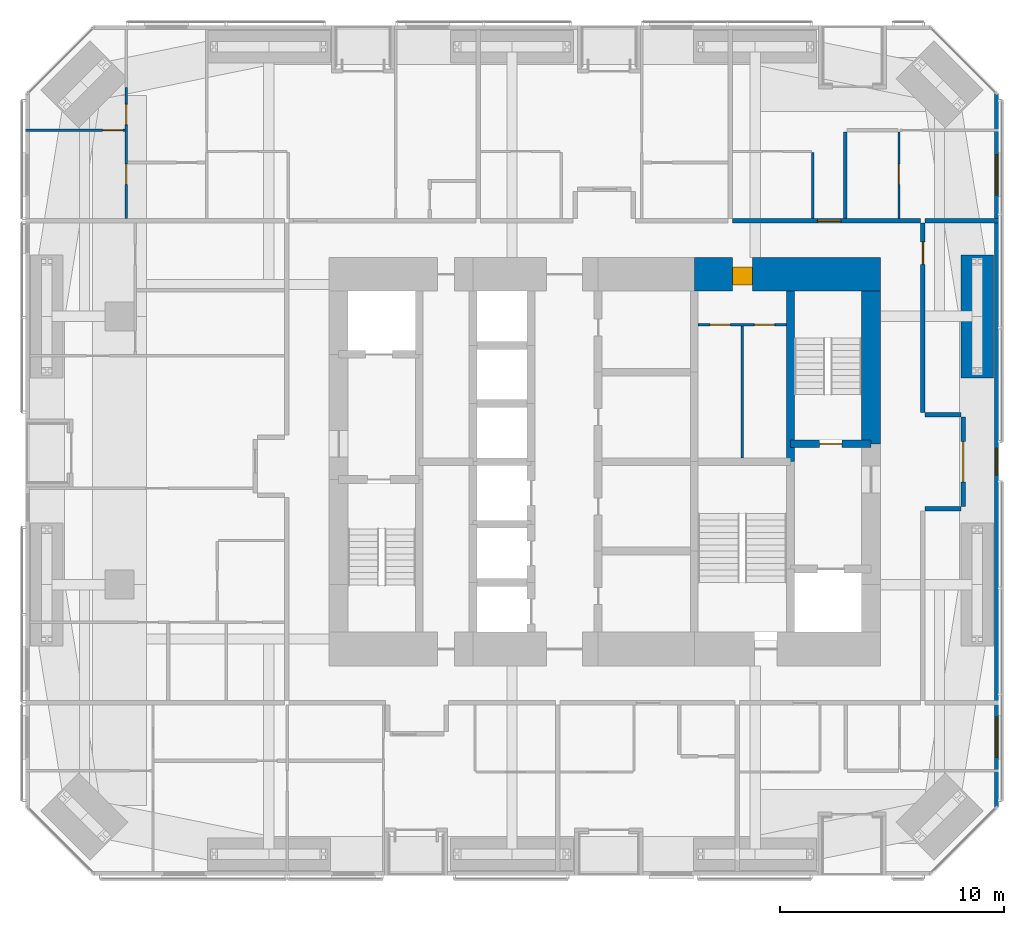
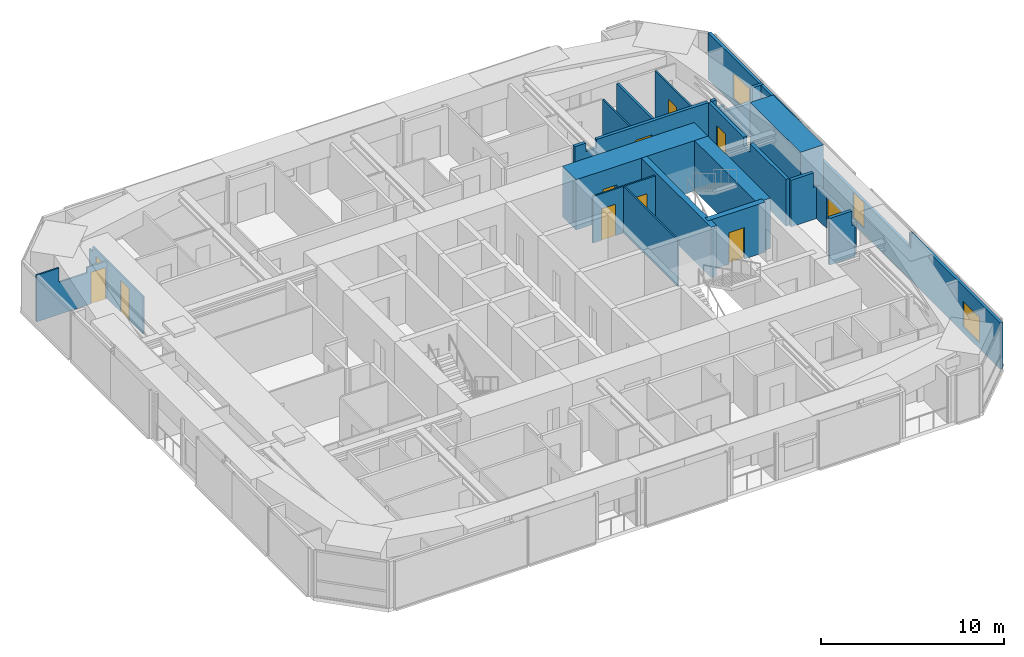
# One storey, part 21 of 24: 19 walls, 11 doors, 3 windows, 14 openings.
"""IFC4 building model written with IfcOpenShell, lengths in metres."""

from ifc_helpers import new_model, si_unit, direction, frame, frame_2d, origin, place, context, subcontext, project, spatial, polyline, rectangle, outline, extrude, material, layer, layer_set, constituent, constituent_set, type_object, element, fill, save


model = new_model("IFC4")

# Units and contexts
model_context = context("Model", 3, precision=1e-05, world=origin(), true_north=direction((0.0, 1.0)))
body_context = subcontext(model_context, "Body", "Model", "MODEL_VIEW")
ifc_project = project(units=[si_unit("LENGTHUNIT", "METRE"), si_unit("AREAUNIT", "SQUARE_METRE"), si_unit("VOLUMEUNIT", "CUBIC_METRE"), si_unit("PLANEANGLEUNIT", "RADIAN"), si_unit("MASSUNIT", "GRAM", prefix="KILO")], contexts=[model_context])

# Site, building, storey
site_placement = place(None, origin())
site = spatial("IfcSite", under=ifc_project, at=site_placement, CompositionType="ELEMENT")
building_placement = place(site_placement, origin())
building = spatial("IfcBuilding", under=site, at=building_placement, Name="Jalousie Tower", CompositionType="ELEMENT")
storey_placement = place(building_placement, frame((0.0, 0.0, 91.449951171875)))
storey = spatial("IfcBuildingStorey", under=building, at=storey_placement, Name="L24", CompositionType="ELEMENT", Elevation=91.449951171875)

# Wall
ifc_material_1 = material(Name="Concrete block ASTM C90", Category="concrete")
ifc_constituent_1 = constituent(ifc_material_1, Name="Body")
ifc_material_2 = material(Name="Render")
ifc_constituent_2 = constituent(ifc_material_2, Name="Finish")
ifc_constituent_set_1 = constituent_set(constituents=[ifc_constituent_1, ifc_constituent_2])
wall_type_1 = type_object("IfcWallType", Name="BATHROOM WALL 150", PredefinedType="PLUMBINGWALL", material=ifc_constituent_set_1)
wall_1_placement = place(storey_placement, frame((42.64990234375, 33.2490234375, 0.0), z_axis=(0.0, 0.0, 1.0), x_axis=(0.0, -1.0, 0.0)))
element("IfcWall", 1, at=wall_1_placement, inside=storey, type_object=wall_type_1, Name="Bathroom Wall 150 L24", PredefinedType="PLUMBINGWALL", context=body_context, shape_type="SweptSolid", body=[
    extrude(rectangle(XDim=3.8740234375, YDim=0.14990234375, at=frame_2d((1.93701171875, 0.0))), origin(), (0.0, 0.0, 1.0), 3.110107421875),
])

# Wall, opening, door
ifc_material_3 = material(Name="Concrete f'c 120 MPa", Category="concrete")
ifc_layer_1 = layer(ifc_material_3, 1.5)
ifc_layer_set_1 = layer_set([ifc_layer_1], Name="Concrete f'c 120 MPa")
wall_type_2 = type_object("IfcWallType", Name="CORE WALL 1500", PredefinedType="SHEAR", material=ifc_layer_set_1)
wall_2_placement = place(storey_placement, frame((44.22509765625, 26.875, 0.0), z_axis=(0.0, 0.0, 1.0), x_axis=(-1.0, 0.0, 0.0)))
wall_2 = element("IfcWall", 2, at=wall_2_placement, inside=storey, type_object=wall_type_2, Name="Core wall NA L24", PredefinedType="SHEAR", context=body_context, shape_type="SweptSolid", body=[
    extrude(rectangle(XDim=8.3251953125, YDim=1.5, at=frame_2d((4.16259765625, 0.0))), origin(), (0.0, 0.0, 1.0), 3.35009765625),
])
opening_1_placement = place(wall_2_placement, frame((5.72509765625, 0.0, 0.0)))
opening_1 = element("IfcOpeningElement", 3, at=opening_1_placement, cuts=wall_2, Name="Opening D25", PredefinedType="OPENING", context=body_context, shape_type="SweptSolid", body=[
    extrude(rectangle(XDim=0.89990234375, YDim=2.10009765625, at=frame_2d((0.449951171875, 1.050048828125))), frame((0.0, 0.760009765625, 0.0), z_axis=(0.0, -1.0, 0.0), x_axis=(1.0, 0.0, 0.0)), (0.0, 0.0, 1.0), 1.52001953125),
])
ifc_material_4 = material(Name="Steel fire door", Category="steel")
door_type_1 = type_object("IfcDoorType", Name="SERVICE LOBBY DOOR 900", OperationType="SINGLE_SWING_LEFT", PredefinedType="DOOR", material=ifc_material_4)
door_1_placement = place(opening_1_placement, origin())
door_1 = element("IfcDoor", 4, at=door_1_placement, inside=storey, type_object=door_type_1, Name="Service lobby door", OperationType="SINGLE_SWING_LEFT", OverallHeight=2.10009765625, OverallWidth=0.89990234375, PredefinedType="DOOR", context=body_context, shape_type="SweptSolid", body=[
    extrude(rectangle(XDim=0.89990234375, YDim=2.10009765625, at=frame_2d((0.449951171875, 1.050048828125))), frame((0.0, 0.47021484375, 0.0), z_axis=(0.0, -1.0, 0.0), x_axis=(1.0, 0.0, 0.0)), (0.0, 0.0, 1.0), 0.800048828125),
])
fill(opening_1, door_1)

# Wall
ifc_material_5 = material(Name="Concrete f'c 120 MPa", Category="concrete")
ifc_layer_2 = layer(ifc_material_5, 0.35009765625)
ifc_layer_set_2 = layer_set([ifc_layer_2], Name="Concrete f'c 120 MPa")
wall_type_3 = type_object("IfcWallType", Name="CORE WALL 350", PredefinedType="SHEAR", material=ifc_layer_set_2)
wall_3_placement = place(storey_placement, frame((40.199951171875, 18.5, 0.0), z_axis=(0.0, 0.0, 1.0), x_axis=(0.0, 1.0, 0.0)))
element("IfcWall", 5, at=wall_3_placement, inside=storey, type_object=wall_type_3, Name="Core wall X40.2C L24", PredefinedType="SHEAR", context=body_context, shape_type="SweptSolid", body=[
    extrude(rectangle(XDim=7.625, YDim=0.35009765625, at=frame_2d((3.8125, 0.0))), origin(), (0.0, 0.0, 1.0), 3.35009765625),
])

# Wall, opening, door
wall_4_placement = place(storey_placement, frame((40.199951171875, 19.300048828125, 0.0), z_axis=(0.0, 0.0, 1.0), x_axis=(1.0, 0.0, 0.0)))
wall_4 = element("IfcWall", 6, at=wall_4_placement, inside=storey, type_object=wall_type_3, Name="Core wall Y40.2-19.3 L24", PredefinedType="SHEAR", context=body_context, shape_type="SweptSolid", body=[
    extrude(rectangle(XDim=3.60009765625, YDim=0.35009765625, at=frame_2d((1.800048828125, 0.0))), origin(), (0.0, 0.0, 1.0), 3.35009765625),
])
opening_2_placement = place(wall_4_placement, frame((1.300048828125, 0.0, 0.0)))
opening_2 = element("IfcOpeningElement", 7, at=opening_2_placement, cuts=wall_4, Name="Opening D10", PredefinedType="OPENING", context=body_context, shape_type="SweptSolid", body=[
    extrude(rectangle(XDim=1.0, YDim=2.10009765625, at=frame_2d((0.5, 1.050048828125))), frame((0.0, 0.18505859375, 0.0), z_axis=(0.0, -1.0, 0.0), x_axis=(1.0, 0.0, 0.0)), (0.0, 0.0, 1.0), 0.3701171875),
])
ifc_material_6 = material(Name="Steel fire door", Category="steel")
door_type_2 = type_object("IfcDoorType", Name="STAIR DOOR 1000", OperationType="SINGLE_SWING_LEFT", PredefinedType="DOOR", material=ifc_material_6)
door_2_placement = place(opening_2_placement, origin())
door_2 = element("IfcDoor", 8, at=door_2_placement, inside=storey, type_object=door_type_2, Name="Exit stair B door", OperationType="SINGLE_SWING_RIGHT", OverallHeight=2.10009765625, OverallWidth=1.0, PredefinedType="DOOR", context=body_context, shape_type="SweptSolid", body=[
    extrude(rectangle(XDim=1.0, YDim=2.10009765625, at=frame_2d((0.5, 1.050048828125))), frame((0.0, 0.02490234375, 0.0), z_axis=(0.0, -1.0, 0.0), x_axis=(1.0, 0.0, 0.0)), (0.0, 0.0, 1.0), 0.050048828125),
])
fill(opening_2, door_2)

# Wall
ifc_material_7 = material(Name="Concrete f'c 120 MPa", Category="concrete")
ifc_layer_3 = layer(ifc_material_7, 0.85009765625)
ifc_layer_set_3 = layer_set([ifc_layer_3], Name="Concrete f'c 120 MPa")
wall_type_4 = type_object("IfcWallType", Name="CORE WALL 850", PredefinedType="SHEAR", material=ifc_layer_set_3)
wall_5_placement = place(storey_placement, frame((43.800048828125, 19.300048828125, 0.0), z_axis=(0.0, 0.0, 1.0), x_axis=(0.0, 1.0, 0.0)))
element("IfcWall", 9, at=wall_5_placement, inside=storey, type_object=wall_type_4, Name="Core wall EC L24", PredefinedType="SHEAR", context=body_context, shape_type="SweptSolid", body=[
    extrude(rectangle(XDim=6.824951171875, YDim=0.85009765625, at=frame_2d((3.41259765625, 0.0))), origin(), (0.0, 0.0, 1.0), 3.35009765625),
])

# Wall, opening, door
ifc_material_8 = material(Name="Concrete block ASTM C90", Category="concrete")
ifc_constituent_3 = constituent(ifc_material_8, Name="Body")
ifc_material_9 = material(Name="Render")
ifc_constituent_4 = constituent(ifc_material_9, Name="Finish")
ifc_constituent_set_2 = constituent_set(constituents=[ifc_constituent_3, ifc_constituent_4])
wall_type_5 = type_object("IfcWallType", Name="CORRIDOR WALL 200", PredefinedType="PARTITIONING", material=ifc_constituent_set_2)
wall_6_placement = place(storey_placement, frame((37.60009765625, 29.27490234375, 0.0), z_axis=(0.0, 0.0, 1.0), x_axis=(1.0, 0.0, 0.0)))
wall_6 = element("IfcWall", 10, at=wall_6_placement, inside=storey, type_object=wall_type_5, Name="Corridor Wall 200 L24", PredefinedType="PARTITIONING", context=body_context, shape_type="SweptSolid", body=[
    extrude(outline(polyline([(0.0, 0.0), (8.4248046875, 0.0), (8.425048828125, 3.110107421875), (1.3623046875, 3.110107421875), (1.3623046875, 2.541015625), (0.6875, 2.541015625), (0.6875, 3.110107421875), (0.0, 3.110107421875), (0.0, 0.0)])), frame((0.0, 0.10009765625, 0.0), z_axis=(0.0, -1.0, 0.0), x_axis=(1.0, 0.0, 0.0)), (0.0, 0.0, 1.0), 0.199951171875),
])
opening_3_placement = place(wall_6_placement, frame((3.800048828125, 0.0, 0.0)))
opening_3 = element("IfcOpeningElement", 11, at=opening_3_placement, cuts=wall_6, Name="Opening D1", PredefinedType="OPENING", context=body_context, shape_type="SweptSolid", body=[
    extrude(rectangle(XDim=1.050048828125, YDim=2.199951171875, at=frame_2d((0.52490234375, 1.10009765625))), frame((0.0, 0.10986328125, 0.0), z_axis=(0.0, -1.0, 0.0), x_axis=(1.0, 0.0, 0.0)), (0.0, 0.0, 1.0), 0.219970703125),
])
ifc_material_10 = material(Name="Timber fire door", Category="wood")
door_type_3 = type_object("IfcDoorType", Name="APARTMENT ENTRANCE DOOR 1050", OperationType="SINGLE_SWING_LEFT", PredefinedType="DOOR", material=ifc_material_10)
door_3_placement = place(opening_3_placement, origin())
door_3 = element("IfcDoor", 12, at=door_3_placement, inside=storey, type_object=door_type_3, Name="Apartment 2406 entrance", OperationType="SINGLE_SWING_RIGHT", OverallHeight=2.199951171875, OverallWidth=1.050048828125, PredefinedType="DOOR", context=body_context, shape_type="SweptSolid", body=[
    extrude(rectangle(XDim=1.050048828125, YDim=2.199951171875, at=frame_2d((0.52490234375, 1.10009765625))), frame((0.0, 0.02490234375, 0.0), z_axis=(0.0, -1.0, 0.0), x_axis=(1.0, 0.0, 0.0)), (0.0, 0.0, 1.0), 0.050048828125),
])
fill(opening_3, door_3)

wall_7_placement = place(storey_placement, frame((46.125, 20.699951171875, 0.0), z_axis=(0.0, 0.0, 1.0), x_axis=(0.0, 1.0, 0.0)))
wall_7 = element("IfcWall", 13, at=wall_7_placement, inside=storey, type_object=wall_type_5, Name="Corridor Wall 200 L24", PredefinedType="PARTITIONING", context=body_context, shape_type="SweptSolid", body=[
    extrude(outline(polyline([(0.0, 0.0), (8.47509765625, 0.0), (8.47509765625, 3.110107421875), (4.63720703125, 3.110107421875), (4.63720703125, 2.541015625), (3.962646484375, 2.541015625), (3.962646484375, 3.110107421875), (0.0, 3.110107421875), (0.0, 0.0)])), frame((0.0, 0.10009765625, 0.0), z_axis=(0.0, -1.0, 0.0), x_axis=(1.0, 0.0, 0.0)), (0.0, 0.0, 1.0), 0.199951171875),
])
opening_4_placement = place(wall_7_placement, frame((6.625, 0.0, 0.0)))
opening_4 = element("IfcOpeningElement", 14, at=opening_4_placement, cuts=wall_7, Name="Opening D21", PredefinedType="OPENING", context=body_context, shape_type="SweptSolid", body=[
    extrude(rectangle(XDim=1.0, YDim=2.10009765625, at=frame_2d((0.5, 1.050048828125))), frame((0.0, 0.10986328125, 0.0), z_axis=(0.0, -1.0, 0.0), x_axis=(1.0, 0.0, 0.0)), (0.0, 0.0, 1.0), 0.219970703125),
])
ifc_material_11 = material(Name="Timber fire door", Category="wood")
door_type_4 = type_object("IfcDoorType", Name="CORRIDOR DOOR 1000", OperationType="SINGLE_SWING_LEFT", PredefinedType="DOOR", material=ifc_material_11)
door_4_placement = place(opening_4_placement, frame((1.0, 0.0, 0.0), z_axis=(0.0, 0.0, 1.0), x_axis=(-1.0, 0.0, 0.0)))
door_4 = element("IfcDoor", 15, at=door_4_placement, inside=storey, type_object=door_type_4, Name="Lounge second door", OperationType="SINGLE_SWING_LEFT", OverallHeight=2.10009765625, OverallWidth=1.0, PredefinedType="DOOR", context=body_context, shape_type="SweptSolid", body=[
    extrude(rectangle(XDim=1.0, YDim=2.10009765625, at=frame_2d((0.5, 1.050048828125))), frame((0.0, 0.02490234375, 0.0), z_axis=(0.0, -1.0, 0.0), x_axis=(1.0, 0.0, 0.0)), (0.0, 0.0, 1.0), 0.050048828125),
])
fill(opening_4, door_4)

wall_8_placement = place(storey_placement, frame((47.925048828125, 16.5, 0.0), z_axis=(0.0, 0.0, 1.0), x_axis=(0.0, 1.0, 0.0)))
wall_8 = element("IfcWall", 16, at=wall_8_placement, inside=storey, type_object=wall_type_5, Name="Corridor Wall 200 L24", PredefinedType="PARTITIONING", context=body_context, shape_type="SweptSolid", body=[
    extrude(outline(polyline([(0.0, 0.0), (4.0, 0.0), (4.0, 3.110107421875), (4.0, 2.150146484375), (0.0, 2.150146484375), (0.0, 3.110107421875), (0.0, 0.0)])), frame((0.0, 0.10009765625, 0.0), z_axis=(0.0, -1.0, 0.0), x_axis=(1.0, 0.0, 0.0)), (0.0, 0.0, 1.0), 0.199951171875),
])
opening_5_placement = place(wall_8_placement, frame((1.10009765625, 0.0, 0.0)))
opening_5 = element("IfcOpeningElement", 17, at=opening_5_placement, cuts=wall_8, Name="Opening D22", PredefinedType="OPENING", context=body_context, shape_type="SweptSolid", body=[
    extrude(rectangle(XDim=1.800048828125, YDim=2.10009765625, at=frame_2d((0.89990234375, 1.050048828125))), frame((0.0, 0.10986328125, 0.0), z_axis=(0.0, -1.0, 0.0), x_axis=(1.0, 0.0, 0.0)), (0.0, 0.0, 1.0), 0.219970703125),
])
ifc_material_12 = material(Name="Timber fire door", Category="wood")
door_type_5 = type_object("IfcDoorType", Name="CORRIDOR DOUBLE DOOR 1800", OperationType="DOUBLE_DOOR_SINGLE_SWING", PredefinedType="DOOR", material=ifc_material_12)
door_5_placement = place(opening_5_placement, frame((1.800048828125, 0.0, 0.0), z_axis=(0.0, 0.0, 1.0), x_axis=(-1.0, 0.0, 0.0)))
door_5 = element("IfcDoor", 18, at=door_5_placement, inside=storey, type_object=door_type_5, Name="Lounge door", OperationType="DOUBLE_DOOR_SINGLE_SWING", OverallHeight=2.10009765625, OverallWidth=1.800048828125, PredefinedType="DOOR", context=body_context, shape_type="SweptSolid", body=[
    extrude(rectangle(XDim=1.800048828125, YDim=2.10009765625, at=frame_2d((0.89990234375, 1.050048828125))), frame((0.0, 0.02490234375, 0.0), z_axis=(0.0, -1.0, 0.0), x_axis=(1.0, 0.0, 0.0)), (0.0, 0.0, 1.0), 0.050048828125),
])
fill(opening_5, door_5)

# Walls
for number, where, z_axis, x_axis, name in (
    (19, (46.22509765625, 16.39990234375, 0.0), (0.0, 0.0, 1.0), (1.0, 0.0, 0.0), "Corridor Wall 200 L24"),
    (20, (46.22509765625, 20.60009765625, 0.0), (0.0, 0.0, 1.0), (1.0, 0.0, 0.0), "Corridor Wall 200 L24"),
):
    element("IfcWall", number, at=place(storey_placement, frame(where, z_axis=z_axis, x_axis=x_axis)), inside=storey, type_object=wall_type_5, Name=name, PredefinedType="PARTITIONING", context=body_context, shape_type="SweptSolid", body=[
        extrude(outline(polyline([(0.0, 0.0), (1.599853515625, 0.0), (1.60009765625, 3.110107421875), (1.60009765625, 2.150146484375), (1.4150390625, 2.150146484375), (1.4150390625, 3.110107421875), (0.0, 3.110107421875), (0.0, 0.0)])), frame((0.0, 0.10009765625, 0.0), z_axis=(0.0, -1.0, 0.0), x_axis=(1.0, 0.0, 0.0)), (0.0, 0.0, 1.0), 0.199951171875),
    ])

# Wall, openings, windows
ifc_material_13 = material(Name="Concrete f'c 40 MPa", Category="concrete")
ifc_constituent_5 = constituent(ifc_material_13, Name="Body")
ifc_material_14 = material(Name="Render, pastel sea green")
ifc_constituent_6 = constituent(ifc_material_14, Name="Finish")
ifc_constituent_set_3 = constituent_set(constituents=[ifc_constituent_5, ifc_constituent_6])
wall_type_6 = type_object("IfcWallType", Name="EXTERNAL WALL 175 SEA GREEN RENDER", PredefinedType="SOLIDWALL", material=ifc_constituent_set_3)
wall_9_placement = place(storey_placement, frame((49.41259765625, 3.05126953125, 0.0), z_axis=(0.0, 0.0, 1.0), x_axis=(0.0, 1.0, 0.0)))
wall_9 = element("IfcWall", 21, at=wall_9_placement, inside=storey, type_object=wall_type_6, Name="External Wall 175 Sea Green Render L24", PredefinedType="SOLIDWALL", context=body_context, shape_type="SweptSolid", body=[
    extrude(outline(polyline([(0.0, 0.0), (31.8974609375, 0.0), (31.8974609375, 3.110107421875), (22.167236328125, 3.110107421875), (22.167236328125, 2.150146484375), (22.074462890625, 2.150146484375), (22.074462890625, 3.110107421875), (21.94873046875, 3.110107421875), (21.94873046875, 2.150146484375), (9.94873046875, 2.150146484375), (9.94873046875, 3.110107421875), (9.822998046875, 3.110107421875), (9.822998046875, 2.150146484375), (9.72998046875, 2.150146484375), (9.72998046875, 3.110107421875), (0.0, 3.110107421875), (0.0, 0.0)])), frame((0.0, 0.08740234375, 0.0), z_axis=(0.0, -1.0, 0.0), x_axis=(1.0, 0.0, 0.0)), (0.0, 0.0, 1.0), 0.175048828125),
])
opening_6_placement = place(wall_9_placement, frame((2.22412109375, 0.0, 0.39990234375)))
opening_6 = element("IfcOpeningElement", 22, at=opening_6_placement, cuts=wall_9, Name="Opening W-BED170", PredefinedType="OPENING", context=body_context, shape_type="SweptSolid", body=[
    extrude(rectangle(XDim=1.800048828125, YDim=1.699951171875, at=frame_2d((0.89990234375, 0.85009765625))), frame((0.0, 0.097412109375, 0.0), z_axis=(0.0, -1.0, 0.0), x_axis=(1.0, 0.0, 0.0)), (0.0, 0.0, 1.0), 0.195068359375),
])
opening_7_placement = place(wall_9_placement, frame((14.8486328125, 0.0, 0.39990234375)))
opening_7 = element("IfcOpeningElement", 23, at=opening_7_placement, cuts=wall_9, Name="Opening W-COR170", PredefinedType="OPENING", context=body_context, shape_type="SweptSolid", body=[
    extrude(rectangle(XDim=1.199951171875, YDim=1.699951171875, at=frame_2d((0.60009765625, 0.85009765625))), frame((0.0, 0.097412109375, 0.0), z_axis=(0.0, -1.0, 0.0), x_axis=(1.0, 0.0, 0.0)), (0.0, 0.0, 1.0), 0.195068359375),
])
opening_8_placement = place(wall_9_placement, frame((27.373291015625, 0.0, 0.39990234375)))
opening_8 = element("IfcOpeningElement", 24, at=opening_8_placement, cuts=wall_9, Name="Opening W-BED170", PredefinedType="OPENING", context=body_context, shape_type="SweptSolid", body=[
    extrude(rectangle(XDim=1.800048828125, YDim=1.699951171875, at=frame_2d((0.89990234375, 0.85009765625))), frame((0.0, 0.097412109375, 0.0), z_axis=(0.0, -1.0, 0.0), x_axis=(1.0, 0.0, 0.0)), (0.0, 0.0, 1.0), 0.195068359375),
])
ifc_material_15 = material(Name="Aluminium frame, impact-rated glazing", Category="aluminium")
window_type_1 = type_object("IfcWindowType", Name="WINDOW BED 1800x1700", PartitioningType="SINGLE_PANEL", PredefinedType="WINDOW", material=ifc_material_15)
window_1_placement = place(opening_6_placement, origin())
window_1 = element("IfcWindow", 25, at=window_1_placement, inside=storey, type_object=window_type_1, Name="Apartment 2403 bedroom 1 window", OverallHeight=1.699951171875, OverallWidth=1.800048828125, PartitioningType="SINGLE_PANEL", PredefinedType="WINDOW", context=body_context, shape_type="SweptSolid", body=[
    extrude(rectangle(XDim=1.800048828125, YDim=1.699951171875, at=frame_2d((0.89990234375, 0.85009765625))), frame((0.0, 0.030029296875, 0.0), z_axis=(0.0, -1.0, 0.0), x_axis=(1.0, 0.0, 0.0)), (0.0, 0.0, 1.0), 0.06005859375),
])
fill(opening_6, window_1)
window_2_placement = place(opening_8_placement, origin())
window_2 = element("IfcWindow", 26, at=window_2_placement, inside=storey, type_object=window_type_1, Name="Apartment 2406 bedroom 1 window", OverallHeight=1.699951171875, OverallWidth=1.800048828125, PartitioningType="SINGLE_PANEL", PredefinedType="WINDOW", context=body_context, shape_type="SweptSolid", body=[
    extrude(rectangle(XDim=1.800048828125, YDim=1.699951171875, at=frame_2d((0.89990234375, 0.85009765625))), frame((0.0, 0.030029296875, 0.0), z_axis=(0.0, -1.0, 0.0), x_axis=(1.0, 0.0, 0.0)), (0.0, 0.0, 1.0), 0.06005859375),
])
fill(opening_8, window_2)
ifc_material_16 = material(Name="Aluminium frame, impact-rated glazing", Category="aluminium")
window_type_2 = type_object("IfcWindowType", Name="WINDOW COR 1200x1700", PartitioningType="SINGLE_PANEL", PredefinedType="WINDOW", material=ifc_material_16)
window_3_placement = place(opening_7_placement, origin())
window_3 = element("IfcWindow", 27, at=window_3_placement, inside=storey, type_object=window_type_2, Name="Residents' lounge window", OverallHeight=1.699951171875, OverallWidth=1.199951171875, PartitioningType="SINGLE_PANEL", PredefinedType="WINDOW", context=body_context, shape_type="SweptSolid", body=[
    extrude(rectangle(XDim=1.199951171875, YDim=1.699951171875, at=frame_2d((0.60009765625, 0.85009765625))), frame((0.0, 0.030029296875, 0.0), z_axis=(0.0, -1.0, 0.0), x_axis=(1.0, 0.0, 0.0)), (0.0, 0.0, 1.0), 0.06005859375),
])
fill(opening_7, window_3)

# Wall, openings, doors
ifc_material_17 = material(Name="Gypsum board", Category="gypsum")
ifc_constituent_7 = constituent(ifc_material_17, Name="Body")
ifc_material_18 = material(Name="Light-gauge steel studs ASTM A653 SS Grade 33", Category="steel")
ifc_constituent_8 = constituent(ifc_material_18, Name="Framing")
ifc_constituent_set_4 = constituent_set(constituents=[ifc_constituent_7, ifc_constituent_8])
wall_type_7 = type_object("IfcWallType", Name="PARTITION 100", PredefinedType="PARTITIONING", material=ifc_constituent_set_4)
wall_10_placement = place(storey_placement, frame((10.5, 35.239990234375, 0.0), z_axis=(0.0, 0.0, 1.0), x_axis=(0.0, -1.0, 0.0)))
wall_10 = element("IfcWall", 28, at=wall_10_placement, inside=storey, type_object=wall_type_7, Name="Partition 100 L24-B", PredefinedType="PARTITIONING", context=body_context, shape_type="SweptSolid", body=[
    extrude(outline(polyline([(0.0, 0.0), (5.864990234375, 0.0), (5.864990234375, 2.510009765625), (0.3681640625, 2.510009765625), (0.3681640625, 2.150146484375), (0.0, 2.150146484375), (0.0, 0.0)])), frame((0.0, 0.050048828125, 0.0), z_axis=(0.0, -1.0, 0.0), x_axis=(1.0, 0.0, 0.0)), (0.0, 0.0, 1.0), 0.10009765625),
])
opening_9_placement = place(wall_10_placement, frame((0.76611328125, 0.0, 0.0)))
opening_9 = element("IfcOpeningElement", 29, at=opening_9_placement, cuts=wall_10, Name="Opening D2", PredefinedType="OPENING", context=body_context, shape_type="SweptSolid", body=[
    extrude(rectangle(XDim=0.89990234375, YDim=2.10009765625, at=frame_2d((0.449951171875, 1.050048828125))), frame((0.0, 0.06005859375, 0.0), z_axis=(0.0, -1.0, 0.0), x_axis=(1.0, 0.0, 0.0)), (0.0, 0.0, 1.0), 0.1201171875),
])
opening_10_placement = place(wall_10_placement, frame((3.440673828125, 0.0, 0.0)))
opening_10 = element("IfcOpeningElement", 30, at=opening_10_placement, cuts=wall_10, Name="Opening D3", PredefinedType="OPENING", context=body_context, shape_type="SweptSolid", body=[
    extrude(rectangle(XDim=0.89990234375, YDim=2.10009765625, at=frame_2d((0.449951171875, 1.050048828125))), frame((0.0, 0.06005859375, 0.0), z_axis=(0.0, -1.0, 0.0), x_axis=(1.0, 0.0, 0.0)), (0.0, 0.0, 1.0), 0.1201171875),
])
ifc_material_19 = material(Name="Timber door", Category="wood")
door_type_6 = type_object("IfcDoorType", Name="BATHROOM DOOR 900", OperationType="SINGLE_SWING_LEFT", PredefinedType="DOOR", material=ifc_material_19)
door_6_placement = place(opening_10_placement, origin())
door_6 = element("IfcDoor", 31, at=door_6_placement, inside=storey, type_object=door_type_6, Name="Apartment 2404 bedroom 1 bathroom door", OperationType="SINGLE_SWING_LEFT", OverallHeight=2.10009765625, OverallWidth=0.89990234375, PredefinedType="DOOR", context=body_context, shape_type="SweptSolid", body=[
    extrude(rectangle(XDim=0.89990234375, YDim=2.10009765625, at=frame_2d((0.449951171875, 1.050048828125))), frame((0.0, 0.02490234375, 0.0), z_axis=(0.0, -1.0, 0.0), x_axis=(1.0, 0.0, 0.0)), (0.0, 0.0, 1.0), 0.050048828125),
])
fill(opening_10, door_6)
ifc_material_20 = material(Name="Timber door", Category="wood")
door_type_7 = type_object("IfcDoorType", Name="BEDROOM DOOR 900", OperationType="SINGLE_SWING_LEFT", PredefinedType="DOOR", material=ifc_material_20)
door_7_placement = place(opening_9_placement, origin())
door_7 = element("IfcDoor", 32, at=door_7_placement, inside=storey, type_object=door_type_7, Name="Apartment 2404 bedroom 1 door", OperationType="SINGLE_SWING_RIGHT", OverallHeight=2.10009765625, OverallWidth=0.89990234375, PredefinedType="DOOR", context=body_context, shape_type="SweptSolid", body=[
    extrude(rectangle(XDim=0.89990234375, YDim=2.10009765625, at=frame_2d((0.449951171875, 1.050048828125))), frame((0.0, 0.02490234375, 0.0), z_axis=(0.0, -1.0, 0.0), x_axis=(1.0, 0.0, 0.0)), (0.0, 0.0, 1.0), 0.050048828125),
])
fill(opening_9, door_7)

# Wall, opening, door
wall_11_placement = place(storey_placement, frame((6.0, 33.32421875, 0.0), z_axis=(0.0, 0.0, 1.0), x_axis=(1.0, 0.0, 0.0)))
wall_11 = element("IfcWall", 33, at=wall_11_placement, inside=storey, type_object=wall_type_7, Name="Partition 100 L24", PredefinedType="PARTITIONING", context=body_context, shape_type="SweptSolid", body=[
    extrude(outline(polyline([(0.0, 0.0), (4.449951171875, 0.0), (4.449951171875, 3.110107421875), (4.449951171875, 2.510009765625), (3.171142578125, 2.510009765625), (3.171142578125, 2.150146484375), (1.4287109375, 2.150146484375), (1.4287109375, 3.110107421875), (0.0, 3.110107421875), (0.0, 0.0)])), frame((0.0, 0.050048828125, 0.0), z_axis=(0.0, -1.0, 0.0), x_axis=(1.0, 0.0, 0.0)), (0.0, 0.0, 1.0), 0.10009765625),
])
opening_11_placement = place(wall_11_placement, frame((3.449951171875, 0.0, 0.0)))
opening_11 = element("IfcOpeningElement", 34, at=opening_11_placement, cuts=wall_11, Name="Opening D7", PredefinedType="OPENING", context=body_context, shape_type="SweptSolid", body=[
    extrude(rectangle(XDim=0.89990234375, YDim=2.10009765625, at=frame_2d((0.449951171875, 1.050048828125))), frame((0.0, 0.06005859375, 0.0), z_axis=(0.0, -1.0, 0.0), x_axis=(1.0, 0.0, 0.0)), (0.0, 0.0, 1.0), 0.1201171875),
])
ifc_material_21 = material(Name="Timber door", Category="wood")
door_type_8 = type_object("IfcDoorType", Name="INTERNAL DOOR 900", OperationType="SINGLE_SWING_LEFT", PredefinedType="DOOR", material=ifc_material_21)
door_8_placement = place(opening_11_placement, frame((0.89990234375, 0.0, 0.0), z_axis=(0.0, 0.0, 1.0), x_axis=(-1.0, 0.0, 0.0)))
door_8 = element("IfcDoor", 35, at=door_8_placement, inside=storey, type_object=door_type_8, Name="Apartment 2404 bedroom 1 dressing hall door", OperationType="SINGLE_SWING_LEFT", OverallHeight=2.10009765625, OverallWidth=0.89990234375, PredefinedType="DOOR", context=body_context, shape_type="SweptSolid", body=[
    extrude(rectangle(XDim=0.89990234375, YDim=2.10009765625, at=frame_2d((0.449951171875, 1.050048828125))), frame((0.0, 0.02490234375, 0.0), z_axis=(0.0, -1.0, 0.0), x_axis=(1.0, 0.0, 0.0)), (0.0, 0.0, 1.0), 0.050048828125),
])
fill(opening_11, door_8)

wall_12_placement = place(storey_placement, frame((45.050048828125, 33.2490234375, 0.0), z_axis=(0.0, 0.0, 1.0), x_axis=(0.0, -1.0, 0.0)))
wall_12 = element("IfcWall", 36, at=wall_12_placement, inside=storey, type_object=wall_type_7, Name="Partition 100 L24", PredefinedType="PARTITIONING", context=body_context, shape_type="SweptSolid", body=[
    extrude(rectangle(XDim=3.8740234375, YDim=0.10009765625, at=frame_2d((1.93701171875, 0.0))), origin(), (0.0, 0.0, 1.0), 3.110107421875),
])
opening_12_placement = place(wall_12_placement, frame((1.44970703125, 0.0, 0.0)))
opening_12 = element("IfcOpeningElement", 37, at=opening_12_placement, cuts=wall_12, Name="Opening D3", PredefinedType="OPENING", context=body_context, shape_type="SweptSolid", body=[
    extrude(rectangle(XDim=0.89990234375, YDim=2.10009765625, at=frame_2d((0.449951171875, 1.050048828125))), frame((0.0, 0.06005859375, 0.0), z_axis=(0.0, -1.0, 0.0), x_axis=(1.0, 0.0, 0.0)), (0.0, 0.0, 1.0), 0.1201171875),
])
door_9_placement = place(opening_12_placement, frame((0.89990234375, 0.0, 0.0), z_axis=(0.0, 0.0, 1.0), x_axis=(-1.0, 0.0, 0.0)))
door_9 = element("IfcDoor", 38, at=door_9_placement, inside=storey, type_object=door_type_6, Name="Apartment 2406 bedroom 1 bathroom door", OperationType="SINGLE_SWING_RIGHT", OverallHeight=2.10009765625, OverallWidth=0.89990234375, PredefinedType="DOOR", context=body_context, shape_type="SweptSolid", body=[
    extrude(rectangle(XDim=0.89990234375, YDim=2.10009765625, at=frame_2d((0.449951171875, 1.050048828125))), frame((0.0, 0.02490234375, 0.0), z_axis=(0.0, -1.0, 0.0), x_axis=(1.0, 0.0, 0.0)), (0.0, 0.0, 1.0), 0.050048828125),
])
fill(opening_12, door_9)

# Wall
wall_13_placement = place(storey_placement, frame((41.199951171875, 32.324951171875, 0.0), z_axis=(0.0, 0.0, 1.0), x_axis=(0.0, -1.0, 0.0)))
element("IfcWall", 39, at=wall_13_placement, inside=storey, type_object=wall_type_7, Name="Partition 100 L24", PredefinedType="PARTITIONING", context=body_context, shape_type="SweptSolid", body=[
    extrude(rectangle(XDim=2.949951171875, YDim=0.10009765625, at=frame_2d((1.47509765625, 0.0))), origin(), (0.0, 0.0, 1.0), 3.110107421875),
])

# Wall, openings, doors
wall_14_placement = place(storey_placement, frame((36.074951171875, 24.625, 0.0), z_axis=(0.0, 0.0, 1.0), x_axis=(1.0, 0.0, 0.0)))
wall_14 = element("IfcWall", 40, at=wall_14_placement, inside=storey, type_object=wall_type_7, Name="Partition 100 L24", PredefinedType="PARTITIONING", context=body_context, shape_type="SweptSolid", body=[
    extrude(rectangle(XDim=3.949951171875, YDim=0.10009765625, at=frame_2d((1.97509765625, 0.0))), origin(), (0.0, 0.0, 1.0), 3.110107421875),
])
opening_13_placement = place(wall_14_placement, frame((0.53759765625, 0.0, 0.0)))
opening_13 = element("IfcOpeningElement", 41, at=opening_13_placement, cuts=wall_14, Name="Opening D7", PredefinedType="OPENING", context=body_context, shape_type="SweptSolid", body=[
    extrude(rectangle(XDim=0.89990234375, YDim=2.10009765625, at=frame_2d((0.449951171875, 1.050048828125))), frame((0.0, 0.06005859375, 0.0), z_axis=(0.0, -1.0, 0.0), x_axis=(1.0, 0.0, 0.0)), (0.0, 0.0, 1.0), 0.1201171875),
])
opening_14_placement = place(wall_14_placement, frame((2.512451171875, 0.0, 0.0)))
opening_14 = element("IfcOpeningElement", 42, at=opening_14_placement, cuts=wall_14, Name="Opening D7", PredefinedType="OPENING", context=body_context, shape_type="SweptSolid", body=[
    extrude(rectangle(XDim=0.89990234375, YDim=2.10009765625, at=frame_2d((0.449951171875, 1.050048828125))), frame((0.0, 0.06005859375, 0.0), z_axis=(0.0, -1.0, 0.0), x_axis=(1.0, 0.0, 0.0)), (0.0, 0.0, 1.0), 0.1201171875),
])
door_10_placement = place(opening_13_placement, frame((0.89990234375, 0.0, 0.0), z_axis=(0.0, 0.0, 1.0), x_axis=(-1.0, 0.0, 0.0)))
door_10 = element("IfcDoor", 43, at=door_10_placement, inside=storey, type_object=door_type_8, Name="Cleaner's store door", OperationType="SINGLE_SWING_LEFT", OverallHeight=2.10009765625, OverallWidth=0.89990234375, PredefinedType="DOOR", context=body_context, shape_type="SweptSolid", body=[
    extrude(rectangle(XDim=0.89990234375, YDim=2.10009765625, at=frame_2d((0.449951171875, 1.050048828125))), frame((0.0, 0.02490234375, 0.0), z_axis=(0.0, -1.0, 0.0), x_axis=(1.0, 0.0, 0.0)), (0.0, 0.0, 1.0), 0.050048828125),
])
fill(opening_13, door_10)
door_11_placement = place(opening_14_placement, frame((0.89990234375, 0.0, 0.0), z_axis=(0.0, 0.0, 1.0), x_axis=(-1.0, 0.0, 0.0)))
door_11 = element("IfcDoor", 44, at=door_11_placement, inside=storey, type_object=door_type_8, Name="Linen store door", OperationType="SINGLE_SWING_RIGHT", OverallHeight=2.10009765625, OverallWidth=0.89990234375, PredefinedType="DOOR", context=body_context, shape_type="SweptSolid", body=[
    extrude(rectangle(XDim=0.89990234375, YDim=2.10009765625, at=frame_2d((0.449951171875, 1.050048828125))), frame((0.0, 0.02490234375, 0.0), z_axis=(0.0, -1.0, 0.0), x_axis=(1.0, 0.0, 0.0)), (0.0, 0.0, 1.0), 0.050048828125),
])
fill(opening_14, door_11)

# Walls
wall_15_placement = place(storey_placement, frame((38.050048828125, 18.675048828125, 0.0), z_axis=(0.0, 0.0, 1.0), x_axis=(0.0, 1.0, 0.0)))
element("IfcWall", 45, at=wall_15_placement, inside=storey, type_object=wall_type_7, Name="Partition 100 L24", PredefinedType="PARTITIONING", context=body_context, shape_type="SweptSolid", body=[
    extrude(rectangle(XDim=5.89990234375, YDim=0.10009765625, at=frame_2d((2.949951171875, 0.0))), origin(), (0.0, 0.0, 1.0), 3.110107421875),
])
ifc_material_22 = material(Name="Concrete block ASTM C90", Category="concrete")
ifc_constituent_9 = constituent(ifc_material_22, Name="Body")
ifc_material_23 = material(Name="Render")
ifc_constituent_10 = constituent(ifc_material_23, Name="Finish")
ifc_constituent_set_5 = constituent_set(constituents=[ifc_constituent_9, ifc_constituent_10])
wall_type_8 = type_object("IfcWallType", Name="PARTY WALL 200", PredefinedType="PARTITIONING", material=ifc_constituent_set_5)
wall_16_placement = place(storey_placement, frame((46.22509765625, 29.27490234375, 0.0), z_axis=(0.0, 0.0, 1.0), x_axis=(1.0, 0.0, 0.0)))
element("IfcWall", 46, at=wall_16_placement, inside=storey, type_object=wall_type_8, Name="Party Wall 200 L24", PredefinedType="PARTITIONING", context=body_context, shape_type="SweptSolid", body=[
    extrude(outline(polyline([(0.0, 0.0), (3.27490234375, 0.0), (3.27490234375, 3.110107421875), (2.5537109375, 3.110107421875), (2.5537109375, 2.150146484375), (0.80517578125, 2.150146484375), (0.80517578125, 2.541015625), (0.30615234375, 2.541015625), (0.30615234375, 3.110107421875), (0.0, 3.110107421875), (0.0, 0.0)])), frame((0.0, 0.10009765625, 0.0), z_axis=(0.0, -1.0, 0.0), x_axis=(1.0, 0.0, 0.0)), (0.0, 0.0, 1.0), 0.199951171875),
])
ifc_material_24 = material(Name="Concrete f'c 120 MPa", Category="concrete")
ifc_layer_4 = layer(ifc_material_24, 1.449951171875)
ifc_layer_set_4 = layer_set([ifc_layer_4], Name="Concrete f'c 120 MPa")
wall_type_9 = type_object("IfcWallType", Name="RC WALL PIER 1450", PredefinedType="SHEAR", material=ifc_layer_set_4)
wall_17_placement = place(storey_placement, frame((48.550048828125, 22.25, 0.0), z_axis=(0.0, 0.0, 1.0), x_axis=(0.0, 1.0, 0.0)))
element("IfcWall", 47, at=wall_17_placement, inside=storey, type_object=wall_type_9, Name="Wall pier 07 L24", PredefinedType="SHEAR", context=body_context, shape_type="SweptSolid", body=[
    extrude(rectangle(XDim=5.5, YDim=1.449951171875, at=frame_2d((2.75, 0.0))), origin(), (0.0, 0.0, 1.0), 3.35009765625),
])

save(model, "model.ifc")
